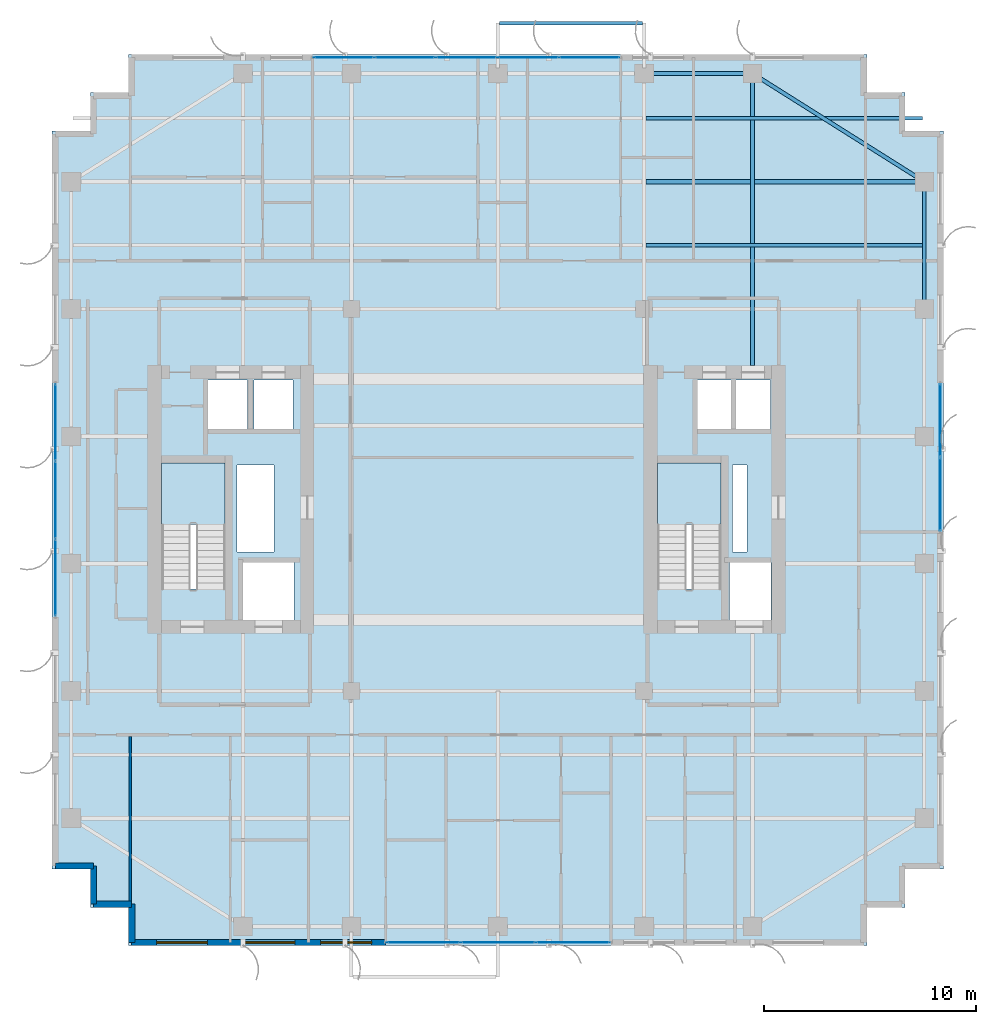
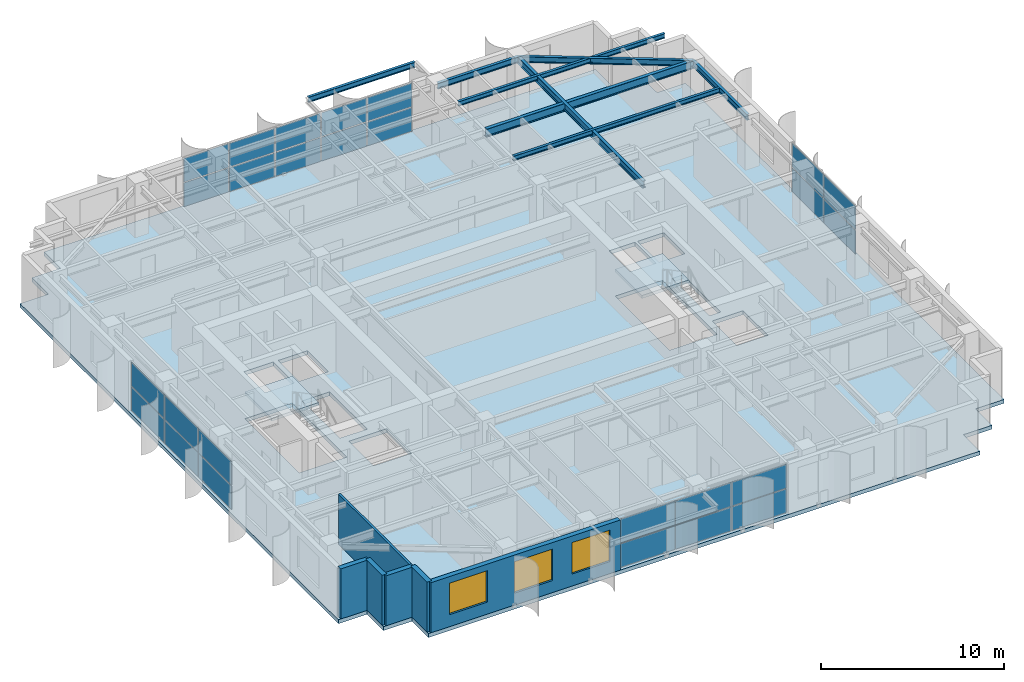
# One storey, part 15 of 23: 26 plates, 8 beams, 6 walls, 3 slabs, 3 windows, 3 openings, 6 elements without a shape of their own.
"""IFC4 building model written with IfcOpenShell, lengths in metres."""

import ifcopenshell
import ifcopenshell.guid

model = None  # the IFC model being written
_history = None  # IfcOwnerHistory: only IFC2X3 demands one
_inside = {}  # id of a spatial element -> (the spatial element, [elements in it])
_under = {}  # id of a project, library or spatial element -> (it, [spatial elements below it])
_declared = {}  # id of a project -> (the project, [libraries it declares])
_typed = {}  # id of a type object -> (the type object, [elements of that type])
_made_of = {}  # id of a material, layer set ... -> (it, [elements and type objects made of it])


def new_model(schema):
    """Start an empty IFC model of exactly this schema.

    Asked for "IFC4X3", IfcOpenShell would pick the latest addendum, in which some entities
    have other attributes; the version numbers below select the first issue.
    IFC2X3 requires an IfcOwnerHistory on every rooted entity: one is made here for all.
    """
    global model, _history
    if schema == "IFC4X3":
        model = ifcopenshell.file(schema_version=(4, 3, 0, 0))
    else:
        model = ifcopenshell.file(schema=schema)
    _inside.clear()
    _under.clear()
    _declared.clear()
    _typed.clear()
    _made_of.clear()
    _history = None
    if model.schema == "IFC2X3":
        org = make("IfcOrganization", Name="unknown")
        user = make(
            "IfcPersonAndOrganization",
            ThePerson=make("IfcPerson", FamilyName="unknown"),
            TheOrganization=org,
        )
        app = make(
            "IfcApplication",
            ApplicationDeveloper=org,
            Version="unknown",
            ApplicationFullName="unknown",
            ApplicationIdentifier="unknown",
        )
        _history = make(
            "IfcOwnerHistory",
            OwningUser=user,
            OwningApplication=app,
            ChangeAction="ADDED",
            CreationDate=0,
        )
    return model


def make(cls, **values):
    """One entity of the class cls with the attributes given. An attribute that is None is left unset."""
    return model.create_entity(
        cls, **{name: value for name, value in values.items() if value is not None}
    )


def rooted(cls, **values):
    """An entity with a GlobalId (a new one), such as an element, a storey or a relation."""
    return make(cls, GlobalId=ifcopenshell.guid.new(), OwnerHistory=_history, **values)


def si_unit(unit_type, name, prefix=None):
    """IfcSIUnit, for example si_unit("LENGTHUNIT", "METRE", prefix="MILLI")."""
    return make("IfcSIUnit", UnitType=unit_type, Prefix=prefix, Name=name)


def assignment(units):
    """IfcUnitAssignment: the units of a project."""
    return None if units is None else make("IfcUnitAssignment", Units=units)


def point(xyz):
    """IfcCartesianPoint."""
    return None if xyz is None else make("IfcCartesianPoint", Coordinates=xyz)


def direction(xyz):
    """IfcDirection."""
    return None if xyz is None else make("IfcDirection", DirectionRatios=xyz)


def frame(location, z_axis=None, x_axis=None):
    """IfcAxis2Placement3D, a coordinate frame: its origin and axes. An axis left out is left unset."""
    return make(
        "IfcAxis2Placement3D",
        Location=point(location),
        Axis=direction(z_axis),
        RefDirection=direction(x_axis),
    )


def frame_2d(location, x_axis=None):
    """IfcAxis2Placement2D, a coordinate frame in the plane: its origin and x axis."""
    return make(
        "IfcAxis2Placement2D", Location=point(location), RefDirection=direction(x_axis)
    )


def origin():
    """The frame at (0, 0, 0) with its axes left unset."""
    return frame((0.0, 0.0, 0.0))


def origin_2d():
    """The frame at (0, 0) in the plane with its x axis left unset."""
    return frame_2d((0.0, 0.0))


def place(relative_to, where):
    """IfcLocalPlacement: puts the frame where relative to a parent placement (None: the world)."""
    return make(
        "IfcLocalPlacement", PlacementRelTo=relative_to, RelativePlacement=where
    )


def context(
    kind, dimensions, precision=None, world=None, true_north=None, identifier=None
):
    """IfcGeometricRepresentationContext, for example the 3D "Model" context."""
    return make(
        "IfcGeometricRepresentationContext",
        ContextIdentifier=identifier,
        ContextType=kind,
        CoordinateSpaceDimension=dimensions,
        Precision=precision,
        WorldCoordinateSystem=world,
        TrueNorth=true_north,
    )


def subcontext(parent, identifier, kind, view, scale=None):
    """IfcGeometricRepresentationSubContext, for example "Body" below "Model"."""
    return make(
        "IfcGeometricRepresentationSubContext",
        ContextIdentifier=identifier,
        ContextType=kind,
        ParentContext=parent,
        TargetScale=scale,
        TargetView=view,
    )


def project(units=None, contexts=None):
    """IfcProject with its units and contexts."""
    return rooted(
        "IfcProject",
        Name="project",
        RepresentationContexts=contexts,
        UnitsInContext=assignment(units),
    )


def spatial(cls, under=None, at=None, **own):
    """A site, building, storey or space (cls), placed at a placement, below another one or the project."""
    s = rooted(cls, ObjectPlacement=at, **own)
    if under is not None:
        _under.setdefault(under.id(), (under, []))[1].append(s)
    return s


def polyline(points):
    """IfcPolyline through the points."""
    return make("IfcPolyline", Points=[point(p) for p in points])


def profile(cls, at=None, kind="AREA", **sizes):
    """A parametric profile (cls). Its sizes go by their IFC names, for example OverallWidth=200.0."""
    return make(cls, ProfileType=kind, Position=at, **sizes)


def rectangle(**sizes):
    """IfcRectangleProfileDef."""
    return profile("IfcRectangleProfileDef", **sizes)


def i_section(**sizes):
    """IfcIShapeProfileDef."""
    return profile("IfcIShapeProfileDef", **sizes)


def outline(outer, holes=None, kind="AREA"):
    """IfcArbitraryClosedProfileDef: a profile drawn as a closed curve; with holes, ...WithVoids."""
    if holes is None:
        return make("IfcArbitraryClosedProfileDef", ProfileType=kind, OuterCurve=outer)
    return make(
        "IfcArbitraryProfileDefWithVoids",
        ProfileType=kind,
        OuterCurve=outer,
        InnerCurves=holes,
    )


def extrude(swept, where, along, depth):
    """IfcExtrudedAreaSolid: the profile swept, set in the frame where, extruded along a direction by depth."""
    return make(
        "IfcExtrudedAreaSolid",
        SweptArea=swept,
        Position=where,
        ExtrudedDirection=direction(along),
        Depth=depth,
    )


def shape(context_of_items, identifier, shape_type, items):
    """IfcShapeRepresentation: the items that make up one representation, for example the "Body"."""
    return make(
        "IfcShapeRepresentation",
        ContextOfItems=context_of_items,
        RepresentationIdentifier=identifier,
        RepresentationType=shape_type,
        Items=items,
    )


def source(mapping_origin, context_of_items, identifier, shape_type, items):
    """IfcRepresentationMap: a shape defined once, which mapped items show again and again."""
    return make(
        "IfcRepresentationMap",
        MappingOrigin=mapping_origin,
        MappedRepresentation=shape(context_of_items, identifier, shape_type, items),
    )


def transform(
    local_origin,
    x_axis=None,
    y_axis=None,
    z_axis=None,
    scale=None,
    scale2=None,
    scale3=None,
    uniform=True,
):
    """IfcCartesianTransformationOperator3D, or its non-uniform kind. x_axis, y_axis, z_axis: its Axis1, 2, 3."""
    if uniform:
        return make(
            "IfcCartesianTransformationOperator3D",
            Axis1=direction(x_axis),
            Axis2=direction(y_axis),
            LocalOrigin=point(local_origin),
            Scale=scale,
            Axis3=direction(z_axis),
        )
    return make(
        "IfcCartesianTransformationOperator3DnonUniform",
        Axis1=direction(x_axis),
        Axis2=direction(y_axis),
        LocalOrigin=point(local_origin),
        Scale=scale,
        Axis3=direction(z_axis),
        Scale2=scale2,
        Scale3=scale3,
    )


def mapped(mapping_source, mapping_target):
    """IfcMappedItem: shows the shape of a source again, moved by a transform."""
    return make(
        "IfcMappedItem", MappingSource=mapping_source, MappingTarget=mapping_target
    )


def material(Name=None, Category=None):
    """IfcMaterial."""
    return make("IfcMaterial", Name=Name, Category=Category)


def layer(
    of_material, thickness, ventilated=None, Name=None, Category=None, Priority=None
):
    """IfcMaterialLayer: one layer of a wall or slab, of a material (None: an air gap)."""
    return make(
        "IfcMaterialLayer",
        Material=of_material,
        LayerThickness=thickness,
        IsVentilated=ventilated,
        Name=Name,
        Category=Category,
        Priority=Priority,
    )


def layer_set(layers, Name=None):
    """IfcMaterialLayerSet."""
    return make("IfcMaterialLayerSet", MaterialLayers=layers, LayerSetName=Name)


def material_profile(
    of_material, cross_section, Name=None, Category=None, Priority=None
):
    """IfcMaterialProfile: a cross section and its material."""
    return make(
        "IfcMaterialProfile",
        Name=Name,
        Material=of_material,
        Profile=cross_section,
        Priority=Priority,
        Category=Category,
    )


def profile_set(profiles, Name=None, composite=None):
    """IfcMaterialProfileSet."""
    return make(
        "IfcMaterialProfileSet",
        Name=Name,
        MaterialProfiles=profiles,
        CompositeProfile=composite,
    )


def made_of(thing, what):
    """Note that an element or type object is made of a material, layer set ...; save() writes the relation."""
    if what is not None:
        _made_of.setdefault(what.id(), (what, []))[1].append(thing)
    return thing


def type_object(cls, material=None, **own):
    """A type object (cls), such as IfcWallType, which elements share."""
    return made_of(rooted(cls, **own), material)


def element(
    cls,
    number,
    at=None,
    inside=None,
    cuts=None,
    type_object=None,
    material=None,
    context=None,
    identifier="Body",
    shape_type=None,
    held_by="IfcProductDefinitionShape",
    body=None,
    shapes=None,
    **own,
):
    """One element of the class cls, such as IfcWall. Its Tag is "e" and its number.

    at: its placement. inside: the storey or other place that contains it. cuts: it is an
    opening in that element (IfcRelVoidsElement). A single representation is given by context,
    identifier, shape_type and body (its items); several are given by shapes. held_by: the class
    of the entity that holds the representations. save() writes the other relations.
    """
    e = rooted(cls, Tag="e%d" % number, ObjectPlacement=at, **own)
    if body is not None:
        shapes = [shape(context, identifier, shape_type, body)]
    if shapes is not None:
        e.Representation = make(held_by, Representations=shapes)
    if inside is not None:
        _inside.setdefault(inside.id(), (inside, []))[1].append(e)
    if cuts is not None:
        rooted(
            "IfcRelVoidsElement", RelatingBuildingElement=cuts, RelatedOpeningElement=e
        )
    if type_object is not None:
        _typed.setdefault(type_object.id(), (type_object, []))[1].append(e)
    return made_of(e, material)


def fill(opening, filler):
    """IfcRelFillsElement: the door or window that sits in an opening."""
    return rooted(
        "IfcRelFillsElement",
        RelatingOpeningElement=opening,
        RelatedBuildingElement=filler,
    )


def aggregate(whole, parts):
    """IfcRelAggregates: a whole, such as a stair, and the parts it consists of."""
    return rooted("IfcRelAggregates", RelatingObject=whole, RelatedObjects=parts)


def save(model, path):
    """Write the relations noted so far, then the file.

    IfcRelAggregates (storeys below a building ...), IfcRelContainedInSpatialStructure (elements
    in a storey), IfcRelDefinesByType, IfcRelAssociatesMaterial and IfcRelDeclares: one each for
    every whole, place, type object, material and project.
    """
    for whole, parts in _under.values():
        aggregate(whole, parts)
    for where, things in _inside.values():
        rooted(
            "IfcRelContainedInSpatialStructure",
            RelatedElements=things,
            RelatingStructure=where,
        )
    for kind, things in _typed.values():
        rooted("IfcRelDefinesByType", RelatedObjects=things, RelatingType=kind)
    for what, things in _made_of.values():
        rooted("IfcRelAssociatesMaterial", RelatedObjects=things, RelatingMaterial=what)
    for by, libraries in _declared.values():
        rooted("IfcRelDeclares", RelatingContext=by, RelatedDefinitions=libraries)
    model.write(path)


model = new_model("IFC4")

# Units and contexts
model_context = context("Model", 3, precision=1e-05, world=origin(), true_north=direction((0.0, 1.0)))
body_context = subcontext(model_context, "Body", "Model", "MODEL_VIEW")
ifc_project = project(units=[si_unit("LENGTHUNIT", "METRE"), si_unit("AREAUNIT", "SQUARE_METRE"), si_unit("VOLUMEUNIT", "CUBIC_METRE"), si_unit("PLANEANGLEUNIT", "RADIAN"), si_unit("MASSUNIT", "GRAM", prefix="KILO")], contexts=[model_context])

# Site, building, storey
site_placement = place(None, origin())
site = spatial("IfcSite", under=ifc_project, at=site_placement, CompositionType="ELEMENT")
building_placement = place(site_placement, origin())
building = spatial("IfcBuilding", under=site, at=building_placement, Name="Khoralis Quay Care Tower", CompositionType="ELEMENT")
storey_placement = place(building_placement, frame((0.0, 0.0, 173.699951171875)))
storey = spatial("IfcBuildingStorey", under=building, at=storey_placement, Name="L45", CompositionType="ELEMENT", Elevation=173.699951171875)

# Beams
ifc_material_1 = material(Name="Steel S355", Category="steel")
ifc_material_profile_1 = material_profile(ifc_material_1, i_section(OverallWidth=0.179931640625, OverallDepth=0.39990234375, WebThickness=0.008544921875, FlangeThickness=0.013427734375, FilletRadius=0.02099609375, at=origin_2d()), Name="Steel S355")
ifc_profile_set_1 = profile_set([ifc_material_profile_1], Name="Steel S355")
beam_type_1 = type_object("IfcBeamType", Name="BM-IPE400", PredefinedType="SPANDREL", material=ifc_profile_set_1)
shared_shape_1 = source(origin(), body_context, "Body", "SweptSolid", [
    extrude(i_section(OverallWidth=0.179931640625, OverallDepth=0.39990234375, WebThickness=0.008544921875, FlangeThickness=0.013427734375, FilletRadius=0.02099609375, at=origin_2d()), origin(), (0.0, 0.0, 1.0), 6.0),
])
beam_1_placement = place(storey_placement, frame((44.10009765625, 30.0, 3.14013671875), z_axis=(0.0, 1.0, 0.0), x_axis=(-1.0, 0.0, 0.0)))
element("IfcBeam", 1, at=beam_1_placement, inside=storey, type_object=beam_type_1, Name="BM-TSP-L45-18", PredefinedType="SPANDREL", context=body_context, shape_type="MappedRepresentation", body=[
    mapped(shared_shape_1, transform((0.0, 0.0, 0.0), scale=1.0)),
])
shared_shape_2 = source(origin(), body_context, "Body", "SweptSolid", [
    extrude(i_section(OverallWidth=0.179931640625, OverallDepth=0.39990234375, WebThickness=0.008544921875, FlangeThickness=0.013427734375, FilletRadius=0.02099609375, at=origin_2d()), origin(), (0.0, 0.0, 1.0), 5.10009765625),
])
beam_2_placement = place(storey_placement, frame((30.89990234375, 41.10009765625, 3.14013671875), z_axis=(1.0, 0.0, 0.0), x_axis=(0.0, 1.0, 0.0)))
element("IfcBeam", 2, at=beam_2_placement, inside=storey, type_object=beam_type_1, Name="BM-TSP-L45-08", PredefinedType="SPANDREL", context=body_context, shape_type="MappedRepresentation", body=[
    mapped(shared_shape_2, transform((0.0, 0.0, 0.0), scale=1.0)),
])
shared_shape_3 = source(origin(), body_context, "Body", "SweptSolid", [
    extrude(i_section(OverallWidth=0.179931640625, OverallDepth=0.39990234375, WebThickness=0.008544921875, FlangeThickness=0.013427734375, FilletRadius=0.02099609375, at=origin_2d()), origin(), (0.0, 0.0, 1.0), 9.572021484375),
])
beam_3_placement = place(storey_placement, frame((36.0, 41.10009765625, 3.14013671875), z_axis=(0.846231136359, -0.532815975602, 0.0), x_axis=(0.532815975602, 0.846231136359, 0.0)))
element("IfcBeam", 3, at=beam_3_placement, inside=storey, type_object=beam_type_1, Name="BM-TCR-L45-22", PredefinedType="SPANDREL", context=body_context, shape_type="MappedRepresentation", body=[
    mapped(shared_shape_3, transform((0.0, 0.0, 0.0), scale=1.0)),
])
ifc_material_profile_2 = material_profile(ifc_material_1, i_section(OverallWidth=0.208984375, OverallDepth=0.532958984375, WebThickness=0.01025390625, FlangeThickness=0.015625, FilletRadius=0.01611328125, at=origin_2d()), Name="Steel S355")
ifc_profile_set_2 = profile_set([ifc_material_profile_2], Name="Steel S355")
beam_type_2 = type_object("IfcBeamType", Name="BM-W530X92", PredefinedType="BEAM", material=ifc_profile_set_2)
shared_shape_4 = source(origin(), body_context, "Body", "SweptSolid", [
    extrude(i_section(OverallWidth=0.208984375, OverallDepth=0.532958984375, WebThickness=0.01025390625, FlangeThickness=0.015625, FilletRadius=0.01611328125, at=origin_2d()), origin(), (0.0, 0.0, 1.0), 13.1162109375),
])
beam_4_placement = place(storey_placement, frame((30.98388671875, 36.0, 3.073486328125), z_axis=(1.0, 0.0, 0.0), x_axis=(0.0, 1.0, 0.0)))
element("IfcBeam", 4, at=beam_4_placement, inside=storey, type_object=beam_type_2, Name="BM-TGXE-L45-360", PredefinedType="BEAM", context=body_context, shape_type="MappedRepresentation", body=[
    mapped(shared_shape_4, transform((0.0, 0.0, 0.0), scale=1.0)),
])
ifc_material_profile_3 = material_profile(ifc_material_1, i_section(OverallWidth=0.19189453125, OverallDepth=0.462890625, WebThickness=0.010498046875, FlangeThickness=0.017578125, FilletRadius=0.014892578125, at=origin_2d()), Name="Steel S355")
ifc_profile_set_3 = profile_set([ifc_material_profile_3], Name="Steel S355")
beam_type_3 = type_object("IfcBeamType", Name="BM-W460X89", PredefinedType="BEAM", material=ifc_profile_set_3)
shared_shape_5 = source(origin(), body_context, "Body", "SweptSolid", [
    extrude(i_section(OverallWidth=0.19189453125, OverallDepth=0.462890625, WebThickness=0.010498046875, FlangeThickness=0.017578125, FilletRadius=0.014892578125, at=origin_2d()), origin(), (0.0, 0.0, 1.0), 13.752197265625),
])
beam_5_placement = place(storey_placement, frame((36.0, 27.347900390625, 3.108642578125), z_axis=(0.0, 1.0, 0.0), x_axis=(-1.0, 0.0, 0.0)))
element("IfcBeam", 5, at=beam_5_placement, inside=storey, type_object=beam_type_3, Name="BM-TGYN-L45-360", PredefinedType="BEAM", context=body_context, shape_type="MappedRepresentation", body=[
    mapped(shared_shape_5, transform((0.0, 0.0, 0.0), scale=1.0)),
])
ifc_material_profile_4 = material_profile(ifc_material_1, i_section(OverallWidth=0.1650390625, OverallDepth=0.31005859375, WebThickness=0.005859375, FlangeThickness=0.009765625, FilletRadius=0.011962890625, at=origin_2d()), Name="Steel S355")
ifc_profile_set_4 = profile_set([ifc_material_profile_4], Name="Steel S355")
beam_type_4 = type_object("IfcBeamType", Name="BM-W310X39", PredefinedType="JOIST", material=ifc_profile_set_4)
shared_shape_6 = source(origin(), body_context, "Body", "SweptSolid", [
    extrude(i_section(OverallWidth=0.1650390625, OverallDepth=0.31005859375, WebThickness=0.005859375, FlangeThickness=0.009765625, FilletRadius=0.011962890625, at=origin_2d()), origin(), (0.0, 0.0, 1.0), 13.0400390625),
])
for number, where, z_axis, x_axis, name in (
    (6, (30.98388671875, 33.0, 3.18505859375), (1.0, 0.0, 0.0), (0.0, 1.0, 0.0), "BM-TJS-L45-27"),
    (7, (30.98388671875, 39.0, 3.18505859375), (1.0, 0.0, 0.0), (0.0, 1.0, 0.0), "BM-TJS-L45-30"),
):
    element("IfcBeam", number, at=place(storey_placement, frame(where, z_axis=z_axis, x_axis=x_axis)), inside=storey, type_object=beam_type_4, Name=name, PredefinedType="JOIST", context=body_context, shape_type="MappedRepresentation", body=[
        mapped(shared_shape_6, transform((0.0, 0.0, 0.0), scale=1.0)),
    ])
ifc_material_profile_5 = material_profile(ifc_material_1, i_section(OverallWidth=0.169921875, OverallDepth=0.360107421875, WebThickness=0.008056640625, FlangeThickness=0.0126953125, FilletRadius=0.01806640625, at=origin_2d()), Name="Steel S355")
ifc_profile_set_5 = profile_set([ifc_material_profile_5], Name="Steel S355")
beam_type_5 = type_object("IfcBeamType", Name="BM-IPE360", PredefinedType="SPANDREL", material=ifc_profile_set_5)
shared_shape_7 = source(origin(), body_context, "Body", "SweptSolid", [
    extrude(i_section(OverallWidth=0.169921875, OverallDepth=0.360107421875, WebThickness=0.008056640625, FlangeThickness=0.0126953125, FilletRadius=0.01806640625, at=origin_2d()), origin(), (0.0, 0.0, 1.0), 6.72412109375),
])
beam_6_placement = place(storey_placement, frame((24.087890625, 43.469970703125, 3.1640625), z_axis=(1.0, 0.0, 0.0), x_axis=(0.0, 1.0, 0.0)))
element("IfcBeam", 8, at=beam_6_placement, inside=storey, type_object=beam_type_5, Name="L46 Balcony Edge Spandrel Beam P1E10", PredefinedType="SPANDREL", context=body_context, shape_type="MappedRepresentation", body=[
    mapped(shared_shape_7, transform((0.0, 0.0, 0.0), scale=1.0)),
])

# Stair, slab
ifc_material_2 = material(Name="Precast concrete C45/55", Category="concrete")
stair_type = type_object("IfcStairType", Name="ST-TWR-DOGLEG-1400", PredefinedType="HALF_TURN_STAIR", material=ifc_material_2)
stair_1_placement = place(storey_placement, origin())
stair_1 = element("IfcStair", 9, at=stair_1_placement, inside=storey, type_object=stair_type, Name="L45 West Core Exit Stair ST-T1", PredefinedType="HALF_TURN_STAIR")
ifc_layer_1 = layer(ifc_material_2, 0.199951171875)
ifc_layer_set_1 = layer_set([ifc_layer_1], Name="Precast concrete C45/55")
slab_type_1 = type_object("IfcSlabType", Name="SLB-LANDING-200", PredefinedType="LANDING", material=ifc_layer_set_1)
slab_1_placement = place(storey_placement, frame((0.0, 0.0, 1.60009765625)))
slab_1 = element("IfcSlab", 10, at=slab_1_placement, type_object=slab_type_1, Name="ST-T1 landing 1", PredefinedType="LANDING", context=body_context, shape_type="SweptSolid", body=[
    extrude(outline(polyline([(11.14990234375, 19.840087890625), (11.14990234375, 22.75), (8.14990234375, 22.75), (8.14990234375, 19.840087890625), (11.14990234375, 19.840087890625)])), origin(), (0.0, 0.0, 1.0), 0.199951171875),
])
aggregate(stair_1, [slab_1])

stair_2_placement = place(storey_placement, origin())
stair_2 = element("IfcStair", 11, at=stair_2_placement, inside=storey, type_object=stair_type, Name="L45 East Core Exit Stair ST-T2", PredefinedType="HALF_TURN_STAIR")
slab_2_placement = place(storey_placement, frame((0.0, 0.0, 1.60009765625)))
slab_2 = element("IfcSlab", 12, at=slab_2_placement, type_object=slab_type_1, Name="ST-T2 landing 1", PredefinedType="LANDING", context=body_context, shape_type="SweptSolid", body=[
    extrude(outline(polyline([(34.52001953125, 19.840087890625), (34.52001953125, 22.75), (31.52001953125, 22.75), (31.52001953125, 19.840087890625), (34.52001953125, 19.840087890625)])), origin(), (0.0, 0.0, 1.0), 0.199951171875),
])
aggregate(stair_2, [slab_2])

# Slab
ifc_material_3 = material(Name="Concrete C40/50", Category="concrete")
ifc_layer_2 = layer(ifc_material_3, 0.260009765625)
ifc_layer_set_2 = layer_set([ifc_layer_2], Name="Concrete C40/50")
slab_type_2 = type_object("IfcSlabType", Name="SLB-TWR-260", PredefinedType="FLOOR", material=ifc_layer_set_2)
slab_3_placement = place(storey_placement, frame((0.0, 0.0, -0.260009765625)))
element("IfcSlab", 13, at=slab_3_placement, inside=storey, type_object=slab_type_2, Name="Tower Floor Slab L45", PredefinedType="FLOOR", context=body_context, shape_type="SweptSolid", body=[
    extrude(outline(polyline([(6.60009765625, 0.0), (41.39990234375, 0.0), (41.39990234375, 1.800048828125), (43.199951171875, 1.800048828125), (43.199951171875, 3.60009765625), (45.0, 3.60009765625), (45.0, 38.39990234375), (43.199951171875, 38.39990234375), (43.199951171875, 40.199951171875), (41.39990234375, 40.199951171875), (41.39990234375, 42.0), (6.60009765625, 42.0), (6.60009765625, 40.199951171875), (4.800048828125, 40.199951171875), (4.800048828125, 38.39990234375), (3.0, 38.39990234375), (3.0, 3.60009765625), (4.800048828125, 3.60009765625), (4.800048828125, 1.800048828125), (6.60009765625, 1.800048828125), (6.60009765625, 0.0)]), holes=[polyline([(11.14990234375, 16.800048828125), (11.14990234375, 22.75), (8.14990234375, 22.75), (8.14990234375, 16.800048828125), (11.14990234375, 16.800048828125)]), polyline([(34.52001953125, 16.800048828125), (34.52001953125, 22.75), (31.52001953125, 22.75), (31.52001953125, 16.800048828125), (34.52001953125, 16.800048828125)]), polyline([(12.0, 15.35009765625), (14.39990234375, 15.35009765625), (14.39990234375, 18.050048828125), (12.0, 18.050048828125), (12.0, 15.35009765625)]), polyline([(34.919921875, 15.35009765625), (36.8798828125, 15.35009765625), (36.8798828125, 18.050048828125), (34.919921875, 18.050048828125), (34.919921875, 15.35009765625)]), polyline([(10.35009765625, 24.35009765625), (12.199951171875, 24.35009765625), (12.199951171875, 26.64990234375), (10.35009765625, 26.64990234375), (10.35009765625, 24.35009765625)]), polyline([(33.3798828125, 24.35009765625), (35.030029296875, 24.35009765625), (35.030029296875, 26.64990234375), (33.3798828125, 26.64990234375), (33.3798828125, 24.35009765625)]), polyline([(12.5, 24.35009765625), (14.35009765625, 24.35009765625), (14.35009765625, 26.64990234375), (12.5, 26.64990234375), (12.5, 24.35009765625)]), polyline([(35.199951171875, 24.35009765625), (36.85009765625, 24.35009765625), (36.85009765625, 26.64990234375), (35.199951171875, 26.64990234375), (35.199951171875, 24.35009765625)]), polyline([(11.719970703125, 18.550048828125), (13.449951171875, 18.550048828125), (13.449951171875, 22.64990234375), (11.719970703125, 22.64990234375), (11.719970703125, 18.550048828125)]), polyline([(35.050048828125, 18.550048828125), (35.75, 18.550048828125), (35.75, 22.64990234375), (35.050048828125, 22.64990234375), (35.050048828125, 18.550048828125)])]), origin(), (0.0, 0.0, 1.0), 0.260009765625),
])

# Curtain wall, plates
ifc_material_4 = material(Name="Pale anodised aluminium", Category="aluminium")
ifc_layer_3 = layer(ifc_material_4, 0.159912109375)
ifc_layer_set_3 = layer_set([ifc_layer_3], Name="Pale anodised aluminium")
curtain_wall_type = type_object("IfcCurtainWallType", Name="CW-SYS-Z3", PredefinedType="NOTDEFINED", material=ifc_layer_set_3)
curtain_wall_1_placement = place(storey_placement, origin())
curtain_wall_1 = element("IfcCurtainWall", 14, at=curtain_wall_1_placement, inside=storey, type_object=curtain_wall_type, Name="L45 Unitised Curtain Wall CW-L45-P1-E15", PredefinedType="NOTDEFINED")
ifc_material_5 = material(Name="Low-E solar-control double glazing", Category="glass")
ifc_layer_4 = layer(ifc_material_5, 0.031982421875)
ifc_layer_set_4 = layer_set([ifc_layer_4], Name="Low-E solar-control double glazing")
plate_type = type_object("IfcPlateType", Name="PNL-VIS-32", PredefinedType="CURTAIN_PANEL", material=ifc_layer_set_4)
shared_shape_8 = source(origin(), body_context, "Body", "SweptSolid", [
    extrude(rectangle(XDim=3.590087890625, YDim=0.028076171875, at=origin_2d()), origin(), (0.0, 0.0, 1.0), 1.580078125),
])
plate_1_placement = place(storey_placement, frame((3.14990234375, 24.6650390625, 0.06005859375), z_axis=(0.0, 0.0, 1.0), x_axis=(0.0, -1.0, 0.0)))
plate_1 = element("IfcPlate", 15, at=plate_1_placement, type_object=plate_type, Name="CW3 panel 1.1", PredefinedType="CURTAIN_PANEL", context=body_context, shape_type="MappedRepresentation", body=[
    mapped(shared_shape_8, transform((0.0, 0.0, 0.0), scale=1.0)),
])
plate_2_placement = place(storey_placement, frame((3.14990234375, 24.6650390625, 1.699951171875), z_axis=(0.0, 0.0, 1.0), x_axis=(0.0, -1.0, 0.0)))
plate_2 = element("IfcPlate", 16, at=plate_2_placement, type_object=plate_type, Name="CW3 panel 1.2", PredefinedType="CURTAIN_PANEL", context=body_context, shape_type="MappedRepresentation", body=[
    mapped(shared_shape_8, transform((0.0, 0.0, 0.0), scale=1.0)),
])
plate_3_placement = place(storey_placement, frame((3.14990234375, 17.3349609375, 0.06005859375), z_axis=(0.0, 0.0, 1.0), x_axis=(0.0, -1.0, 0.0)))
plate_3 = element("IfcPlate", 17, at=plate_3_placement, type_object=plate_type, Name="CW3 panel 3.1", PredefinedType="CURTAIN_PANEL", context=body_context, shape_type="MappedRepresentation", body=[
    mapped(shared_shape_8, transform((0.0, 0.0, 0.0), scale=1.0)),
])
plate_4_placement = place(storey_placement, frame((3.14990234375, 17.3349609375, 1.699951171875), z_axis=(0.0, 0.0, 1.0), x_axis=(0.0, -1.0, 0.0)))
plate_4 = element("IfcPlate", 18, at=plate_4_placement, type_object=plate_type, Name="CW3 panel 3.2", PredefinedType="CURTAIN_PANEL", context=body_context, shape_type="MappedRepresentation", body=[
    mapped(shared_shape_8, transform((0.0, 0.0, 0.0), scale=1.0)),
])
shared_shape_9 = source(origin(), body_context, "Body", "SweptSolid", [
    extrude(rectangle(XDim=3.6201171875, YDim=0.028076171875, at=origin_2d()), origin(), (0.0, 0.0, 1.0), 1.580078125),
])
plate_5_placement = place(storey_placement, frame((3.14990234375, 21.0, 0.06005859375), z_axis=(0.0, 0.0, 1.0), x_axis=(0.0, -1.0, 0.0)))
plate_5 = element("IfcPlate", 19, at=plate_5_placement, type_object=plate_type, Name="CW3 panel 2.1", PredefinedType="CURTAIN_PANEL", context=body_context, shape_type="MappedRepresentation", body=[
    mapped(shared_shape_9, transform((0.0, 0.0, 0.0), scale=1.0)),
])
plate_6_placement = place(storey_placement, frame((3.14990234375, 21.0, 1.699951171875), z_axis=(0.0, 0.0, 1.0), x_axis=(0.0, -1.0, 0.0)))
plate_6 = element("IfcPlate", 20, at=plate_6_placement, type_object=plate_type, Name="CW3 panel 2.2", PredefinedType="CURTAIN_PANEL", context=body_context, shape_type="MappedRepresentation", body=[
    mapped(shared_shape_9, transform((0.0, 0.0, 0.0), scale=1.0)),
])
aggregate(curtain_wall_1, [plate_1, plate_2, plate_5, plate_6, plate_3, plate_4])

curtain_wall_2_placement = place(storey_placement, origin())
curtain_wall_2 = element("IfcCurtainWall", 21, at=curtain_wall_2_placement, inside=storey, type_object=curtain_wall_type, Name="L45 Unitised Curtain Wall CW-L45-P1-E5", PredefinedType="NOTDEFINED")
shared_shape_10 = source(origin(), body_context, "Body", "SweptSolid", [
    extrude(rectangle(XDim=3.419921875, YDim=0.028076171875, at=origin_2d()), origin(), (0.0, 0.0, 1.0), 1.580078125),
])
plate_7_placement = place(storey_placement, frame((44.85009765625, 21.27001953125, 0.06005859375), z_axis=(0.0, 0.0, 1.0), x_axis=(0.0, 1.0, 0.0)))
plate_7 = element("IfcPlate", 22, at=plate_7_placement, type_object=plate_type, Name="CW3 panel 1.1", PredefinedType="CURTAIN_PANEL", context=body_context, shape_type="MappedRepresentation", body=[
    mapped(shared_shape_10, transform((0.0, 0.0, 0.0), scale=1.0)),
])
plate_8_placement = place(storey_placement, frame((44.85009765625, 21.27001953125, 1.699951171875), z_axis=(0.0, 0.0, 1.0), x_axis=(0.0, 1.0, 0.0)))
plate_8 = element("IfcPlate", 23, at=plate_8_placement, type_object=plate_type, Name="CW3 panel 1.2", PredefinedType="CURTAIN_PANEL", context=body_context, shape_type="MappedRepresentation", body=[
    mapped(shared_shape_10, transform((0.0, 0.0, 0.0), scale=1.0)),
])
plate_9_placement = place(storey_placement, frame((44.85009765625, 24.75, 0.06005859375), z_axis=(0.0, 0.0, 1.0), x_axis=(0.0, 1.0, 0.0)))
plate_9 = element("IfcPlate", 24, at=plate_9_placement, type_object=plate_type, Name="CW3 panel 2.1", PredefinedType="CURTAIN_PANEL", context=body_context, shape_type="MappedRepresentation", body=[
    mapped(shared_shape_10, transform((0.0, 0.0, 0.0), scale=1.0)),
])
plate_10_placement = place(storey_placement, frame((44.85009765625, 24.75, 1.699951171875), z_axis=(0.0, 0.0, 1.0), x_axis=(0.0, 1.0, 0.0)))
plate_10 = element("IfcPlate", 25, at=plate_10_placement, type_object=plate_type, Name="CW3 panel 2.2", PredefinedType="CURTAIN_PANEL", context=body_context, shape_type="MappedRepresentation", body=[
    mapped(shared_shape_10, transform((0.0, 0.0, 0.0), scale=1.0)),
])
aggregate(curtain_wall_2, [plate_7, plate_8, plate_9, plate_10])

curtain_wall_3_placement = place(storey_placement, origin())
curtain_wall_3 = element("IfcCurtainWall", 26, at=curtain_wall_3_placement, inside=storey, type_object=curtain_wall_type, Name="L45 Unitised Curtain Wall CW-L45-P1-E0", PredefinedType="NOTDEFINED")
shared_shape_11 = source(origin(), body_context, "Body", "SweptSolid", [
    extrude(rectangle(XDim=3.447021484375, YDim=0.028076171875, at=origin_2d()), origin(), (0.0, 0.0, 1.0), 1.580078125),
])
plate_11_placement = place(storey_placement, frame((20.50244140625, 0.14990234375, 0.06005859375), z_axis=(0.0, 0.0, 1.0), x_axis=(1.0, 0.0, 0.0)))
plate_11 = element("IfcPlate", 27, at=plate_11_placement, type_object=plate_type, Name="CW3 panel 1.1", PredefinedType="CURTAIN_PANEL", context=body_context, shape_type="MappedRepresentation", body=[
    mapped(shared_shape_11, transform((0.0, 0.0, 0.0), scale=1.0)),
])
plate_12_placement = place(storey_placement, frame((20.50244140625, 0.14990234375, 1.699951171875), z_axis=(0.0, 0.0, 1.0), x_axis=(1.0, 0.0, 0.0)))
plate_12 = element("IfcPlate", 28, at=plate_12_placement, type_object=plate_type, Name="CW3 panel 1.2", PredefinedType="CURTAIN_PANEL", context=body_context, shape_type="MappedRepresentation", body=[
    mapped(shared_shape_11, transform((0.0, 0.0, 0.0), scale=1.0)),
])
plate_13_placement = place(storey_placement, frame((27.54638671875, 0.14990234375, 0.06005859375), z_axis=(0.0, 0.0, 1.0), x_axis=(1.0, 0.0, 0.0)))
plate_13 = element("IfcPlate", 29, at=plate_13_placement, type_object=plate_type, Name="CW3 panel 3.1", PredefinedType="CURTAIN_PANEL", context=body_context, shape_type="MappedRepresentation", body=[
    mapped(shared_shape_11, transform((0.0, 0.0, 0.0), scale=1.0)),
])
plate_14_placement = place(storey_placement, frame((27.54638671875, 0.14990234375, 1.699951171875), z_axis=(0.0, 0.0, 1.0), x_axis=(1.0, 0.0, 0.0)))
plate_14 = element("IfcPlate", 30, at=plate_14_placement, type_object=plate_type, Name="CW3 panel 3.2", PredefinedType="CURTAIN_PANEL", context=body_context, shape_type="MappedRepresentation", body=[
    mapped(shared_shape_11, transform((0.0, 0.0, 0.0), scale=1.0)),
])
shared_shape_12 = source(origin(), body_context, "Body", "SweptSolid", [
    extrude(rectangle(XDim=3.47705078125, YDim=0.028076171875, at=origin_2d()), origin(), (0.0, 0.0, 1.0), 1.580078125),
])
plate_15_placement = place(storey_placement, frame((24.0244140625, 0.14990234375, 0.06005859375), z_axis=(0.0, 0.0, 1.0), x_axis=(1.0, 0.0, 0.0)))
plate_15 = element("IfcPlate", 31, at=plate_15_placement, type_object=plate_type, Name="CW3 panel 2.1", PredefinedType="CURTAIN_PANEL", context=body_context, shape_type="MappedRepresentation", body=[
    mapped(shared_shape_12, transform((0.0, 0.0, 0.0), scale=1.0)),
])
plate_16_placement = place(storey_placement, frame((24.0244140625, 0.14990234375, 1.699951171875), z_axis=(0.0, 0.0, 1.0), x_axis=(1.0, 0.0, 0.0)))
plate_16 = element("IfcPlate", 32, at=plate_16_placement, type_object=plate_type, Name="CW3 panel 2.2", PredefinedType="CURTAIN_PANEL", context=body_context, shape_type="MappedRepresentation", body=[
    mapped(shared_shape_12, transform((0.0, 0.0, 0.0), scale=1.0)),
])
aggregate(curtain_wall_3, [plate_11, plate_12, plate_15, plate_16, plate_13, plate_14])

curtain_wall_4_placement = place(storey_placement, origin())
curtain_wall_4 = element("IfcCurtainWall", 33, at=curtain_wall_4_placement, inside=storey, type_object=curtain_wall_type, Name="L45 Unitised Curtain Wall CW-L45-P1-E10", PredefinedType="NOTDEFINED")
shared_shape_13 = source(origin(), body_context, "Body", "SweptSolid", [
    extrude(rectangle(XDim=2.813720703125, YDim=0.028076171875, at=origin_2d()), origin(), (0.0, 0.0, 1.0), 1.580078125),
])
plate_17_placement = place(storey_placement, frame((28.322021484375, 41.85009765625, 0.06005859375), z_axis=(0.0, 0.0, 1.0), x_axis=(-1.0, 0.0, 0.0)))
plate_17 = element("IfcPlate", 34, at=plate_17_placement, type_object=plate_type, Name="CW3 panel 1.1", PredefinedType="CURTAIN_PANEL", context=body_context, shape_type="MappedRepresentation", body=[
    mapped(shared_shape_13, transform((0.0, 0.0, 0.0), scale=1.0)),
])
plate_18_placement = place(storey_placement, frame((28.322021484375, 41.85009765625, 1.699951171875), z_axis=(0.0, 0.0, 1.0), x_axis=(-1.0, 0.0, 0.0)))
plate_18 = element("IfcPlate", 35, at=plate_18_placement, type_object=plate_type, Name="CW3 panel 1.2", PredefinedType="CURTAIN_PANEL", context=body_context, shape_type="MappedRepresentation", body=[
    mapped(shared_shape_13, transform((0.0, 0.0, 0.0), scale=1.0)),
])
plate_19_placement = place(storey_placement, frame((16.73681640625, 41.85009765625, 0.06005859375), z_axis=(0.0, 0.0, 1.0), x_axis=(-1.0, 0.0, 0.0)))
plate_19 = element("IfcPlate", 36, at=plate_19_placement, type_object=plate_type, Name="CW3 panel 5.1", PredefinedType="CURTAIN_PANEL", context=body_context, shape_type="MappedRepresentation", body=[
    mapped(shared_shape_13, transform((0.0, 0.0, 0.0), scale=1.0)),
])
plate_20_placement = place(storey_placement, frame((16.73681640625, 41.85009765625, 1.699951171875), z_axis=(0.0, 0.0, 1.0), x_axis=(-1.0, 0.0, 0.0)))
plate_20 = element("IfcPlate", 37, at=plate_20_placement, type_object=plate_type, Name="CW3 panel 5.2", PredefinedType="CURTAIN_PANEL", context=body_context, shape_type="MappedRepresentation", body=[
    mapped(shared_shape_13, transform((0.0, 0.0, 0.0), scale=1.0)),
])
shared_shape_14 = source(origin(), body_context, "Body", "SweptSolid", [
    extrude(rectangle(XDim=2.84375, YDim=0.028076171875, at=origin_2d()), origin(), (0.0, 0.0, 1.0), 1.580078125),
])
plate_21_placement = place(storey_placement, frame((25.433349609375, 41.85009765625, 0.06005859375), z_axis=(0.0, 0.0, 1.0), x_axis=(-1.0, 0.0, 0.0)))
plate_21 = element("IfcPlate", 38, at=plate_21_placement, type_object=plate_type, Name="CW3 panel 2.1", PredefinedType="CURTAIN_PANEL", context=body_context, shape_type="MappedRepresentation", body=[
    mapped(shared_shape_14, transform((0.0, 0.0, 0.0), scale=1.0)),
])
plate_22_placement = place(storey_placement, frame((25.433349609375, 41.85009765625, 1.699951171875), z_axis=(0.0, 0.0, 1.0), x_axis=(-1.0, 0.0, 0.0)))
plate_22 = element("IfcPlate", 39, at=plate_22_placement, type_object=plate_type, Name="CW3 panel 2.2", PredefinedType="CURTAIN_PANEL", context=body_context, shape_type="MappedRepresentation", body=[
    mapped(shared_shape_14, transform((0.0, 0.0, 0.0), scale=1.0)),
])
plate_23_placement = place(storey_placement, frame((22.529541015625, 41.85009765625, 0.06005859375), z_axis=(0.0, 0.0, 1.0), x_axis=(-1.0, 0.0, 0.0)))
plate_23 = element("IfcPlate", 40, at=plate_23_placement, type_object=plate_type, Name="CW3 panel 3.1", PredefinedType="CURTAIN_PANEL", context=body_context, shape_type="MappedRepresentation", body=[
    mapped(shared_shape_14, transform((0.0, 0.0, 0.0), scale=1.0)),
])
plate_24_placement = place(storey_placement, frame((22.529541015625, 41.85009765625, 1.699951171875), z_axis=(0.0, 0.0, 1.0), x_axis=(-1.0, 0.0, 0.0)))
plate_24 = element("IfcPlate", 41, at=plate_24_placement, type_object=plate_type, Name="CW3 panel 3.2", PredefinedType="CURTAIN_PANEL", context=body_context, shape_type="MappedRepresentation", body=[
    mapped(shared_shape_14, transform((0.0, 0.0, 0.0), scale=1.0)),
])
plate_25_placement = place(storey_placement, frame((19.625732421875, 41.85009765625, 0.06005859375), z_axis=(0.0, 0.0, 1.0), x_axis=(-1.0, 0.0, 0.0)))
plate_25 = element("IfcPlate", 42, at=plate_25_placement, type_object=plate_type, Name="CW3 panel 4.1", PredefinedType="CURTAIN_PANEL", context=body_context, shape_type="MappedRepresentation", body=[
    mapped(shared_shape_14, transform((0.0, 0.0, 0.0), scale=1.0)),
])
plate_26_placement = place(storey_placement, frame((19.625732421875, 41.85009765625, 1.699951171875), z_axis=(0.0, 0.0, 1.0), x_axis=(-1.0, 0.0, 0.0)))
plate_26 = element("IfcPlate", 43, at=plate_26_placement, type_object=plate_type, Name="CW3 panel 4.2", PredefinedType="CURTAIN_PANEL", context=body_context, shape_type="MappedRepresentation", body=[
    mapped(shared_shape_14, transform((0.0, 0.0, 0.0), scale=1.0)),
])
aggregate(curtain_wall_4, [plate_17, plate_18, plate_21, plate_22, plate_23, plate_24, plate_25, plate_26, plate_19, plate_20])

# Wall, openings, windows
ifc_layer_5 = layer(ifc_material_2, 0.300048828125)
ifc_layer_set_5 = layer_set([ifc_layer_5], Name="Precast concrete C45/55")
wall_type_1 = type_object("IfcWallType", Name="WL-EXT-REF-300", PredefinedType="SOLIDWALL", material=ifc_layer_set_5)
wall_1_placement = place(storey_placement, frame((6.75, 0.14990234375, 0.0), z_axis=(0.0, 0.0, 1.0), x_axis=(1.0, 0.0, 0.0)))
wall_1 = element("IfcWall", 44, at=wall_1_placement, inside=storey, type_object=wall_type_1, Name="L45 External Facade Wall WL-EXT-L45-P1-E0A", PredefinedType="SOLIDWALL", context=body_context, shape_type="SweptSolid", body=[
    extrude(rectangle(XDim=11.968994140625, YDim=0.300048828125, at=frame_2d((5.984375, 0.0))), origin(), (0.0, 0.0, 1.0), 3.340087890625),
])
opening_1_placement = place(wall_1_placement, frame((1.169921875, 0.0, 0.800048828125)))
opening_1 = element("IfcOpeningElement", 45, at=opening_1_placement, cuts=wall_1, Name="Opening W1", PredefinedType="OPENING", context=body_context, shape_type="SweptSolid", body=[
    extrude(rectangle(XDim=2.39990234375, YDim=2.10009765625, at=frame_2d((1.199951171875, 1.050048828125))), frame((0.0, 0.16015625, 0.0), z_axis=(0.0, -1.0, 0.0), x_axis=(1.0, 0.0, 0.0)), (0.0, 0.0, 1.0), 0.320068359375),
])
opening_2_placement = place(wall_1_placement, frame((5.2900390625, 0.0, 0.800048828125)))
opening_2 = element("IfcOpeningElement", 46, at=opening_2_placement, cuts=wall_1, Name="Opening W1", PredefinedType="OPENING", context=body_context, shape_type="SweptSolid", body=[
    extrude(rectangle(XDim=2.39990234375, YDim=2.10009765625, at=frame_2d((1.199951171875, 1.050048828125))), frame((0.0, 0.16015625, 0.0), z_axis=(0.0, -1.0, 0.0), x_axis=(1.0, 0.0, 0.0)), (0.0, 0.0, 1.0), 0.320068359375),
])
opening_3_placement = place(wall_1_placement, frame((8.904541015625, 0.0, 0.800048828125)))
opening_3 = element("IfcOpeningElement", 47, at=opening_3_placement, cuts=wall_1, Name="Opening W1", PredefinedType="OPENING", context=body_context, shape_type="SweptSolid", body=[
    extrude(rectangle(XDim=2.39990234375, YDim=2.10009765625, at=frame_2d((1.199951171875, 1.050048828125))), frame((0.0, 0.16015625, 0.0), z_axis=(0.0, -1.0, 0.0), x_axis=(1.0, 0.0, 0.0)), (0.0, 0.0, 1.0), 0.320068359375),
])
window_type = type_object("IfcWindowType", Name="WN-POD-2400X2100", PartitioningType="SINGLE_PANEL", PredefinedType="WINDOW", material=ifc_material_5)
shared_shape_15 = source(origin(), body_context, "Body", "SweptSolid", [
    extrude(rectangle(XDim=2.39990234375, YDim=2.10009765625, at=frame_2d((1.199951171875, 1.050048828125))), frame((0.0, 0.030029296875, 0.0), z_axis=(0.0, -1.0, 0.0), x_axis=(1.0, 0.0, 0.0)), (0.0, 0.0, 1.0), 0.06005859375),
])
window_1_placement = place(opening_1_placement, origin())
window_1 = element("IfcWindow", 48, at=window_1_placement, inside=storey, type_object=window_type, Name="WN-L45-P1-E0A Facade Window 01", OverallHeight=2.10009765625, OverallWidth=2.39990234375, PartitioningType="SINGLE_PANEL", PredefinedType="WINDOW", context=body_context, shape_type="MappedRepresentation", body=[
    mapped(shared_shape_15, transform((0.0, 0.0, 0.0), scale=1.0)),
])
fill(opening_1, window_1)
window_2_placement = place(opening_2_placement, origin())
window_2 = element("IfcWindow", 49, at=window_2_placement, inside=storey, type_object=window_type, Name="WN-L45-P1-E0A Facade Window 02", OverallHeight=2.10009765625, OverallWidth=2.39990234375, PartitioningType="SINGLE_PANEL", PredefinedType="WINDOW", context=body_context, shape_type="MappedRepresentation", body=[
    mapped(shared_shape_15, transform((0.0, 0.0, 0.0), scale=1.0)),
])
fill(opening_2, window_2)
window_3_placement = place(opening_3_placement, origin())
window_3 = element("IfcWindow", 50, at=window_3_placement, inside=storey, type_object=window_type, Name="WN-L45-P1-E0A Facade Window 03", OverallHeight=2.10009765625, OverallWidth=2.39990234375, PartitioningType="SINGLE_PANEL", PredefinedType="WINDOW", context=body_context, shape_type="MappedRepresentation", body=[
    mapped(shared_shape_15, transform((0.0, 0.0, 0.0), scale=1.0)),
])
fill(opening_3, window_3)

# Walls
for number, where, z_axis, x_axis, name in (
    (51, (3.14990234375, 3.75, 0.0), (0.0, 0.0, 1.0), (1.0, 0.0, 0.0), "L45 External Facade Wall WL-EXT-L45-P1-C16"),
    (52, (4.949951171875, 3.75, 0.0), (0.0, 0.0, 1.0), (0.0, -1.0, 0.0), "L45 External Facade Wall WL-EXT-L45-P1-C17"),
    (53, (4.949951171875, 1.949951171875, 0.0), (0.0, 0.0, 1.0), (1.0, 0.0, 0.0), "L45 External Facade Wall WL-EXT-L45-P1-C18"),
    (54, (6.75, 1.949951171875, 0.0), (0.0, 0.0, 1.0), (0.0, -1.0, 0.0), "L45 External Facade Wall WL-EXT-L45-P1-C19"),
):
    element("IfcWall", number, at=place(storey_placement, frame(where, z_axis=z_axis, x_axis=x_axis)), inside=storey, type_object=wall_type_1, Name=name, PredefinedType="SOLIDWALL", context=body_context, shape_type="SweptSolid", body=[
        extrude(rectangle(XDim=1.800048828125, YDim=0.300048828125, at=frame_2d((0.89990234375, 0.0))), origin(), (0.0, 0.0, 1.0), 3.340087890625),
    ])
ifc_material_6 = material(Name="Gypsum plasterboard on acoustic metal stud")
ifc_layer_6 = layer(ifc_material_6, 0.139892578125)
ifc_layer_set_6 = layer_set([ifc_layer_6], Name="Gypsum plasterboard on acoustic metal stud")
wall_type_2 = type_object("IfcWallType", Name="WL-UNIT-140", PredefinedType="PARTITIONING", material=ifc_layer_set_6)
wall_2_placement = place(storey_placement, frame((6.679931640625, 1.945068359375, 0.0), z_axis=(0.0, 0.0, 1.0), x_axis=(0.0, 1.0, 0.0)))
element("IfcWall", 55, at=wall_2_placement, inside=storey, type_object=wall_type_2, Name="L45 SB Demising Wall 0", PredefinedType="PARTITIONING", context=body_context, shape_type="SweptSolid", body=[
    extrude(rectangle(XDim=7.91748046875, YDim=0.139892578125, at=frame_2d((3.958740234375, 0.0))), origin(), (0.0, 0.0, 1.0), 3.340087890625),
])

save(model, "model.ifc")
